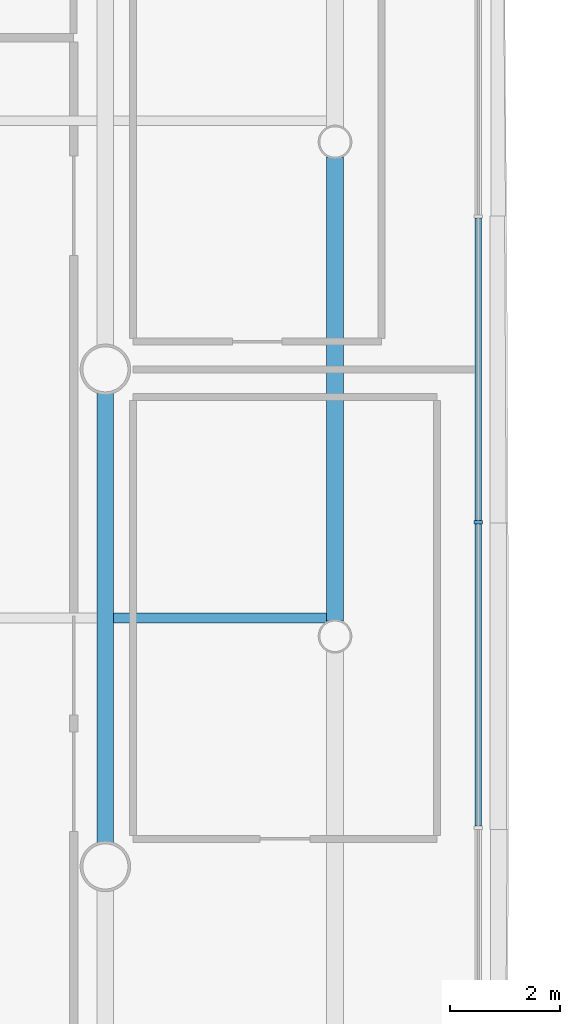
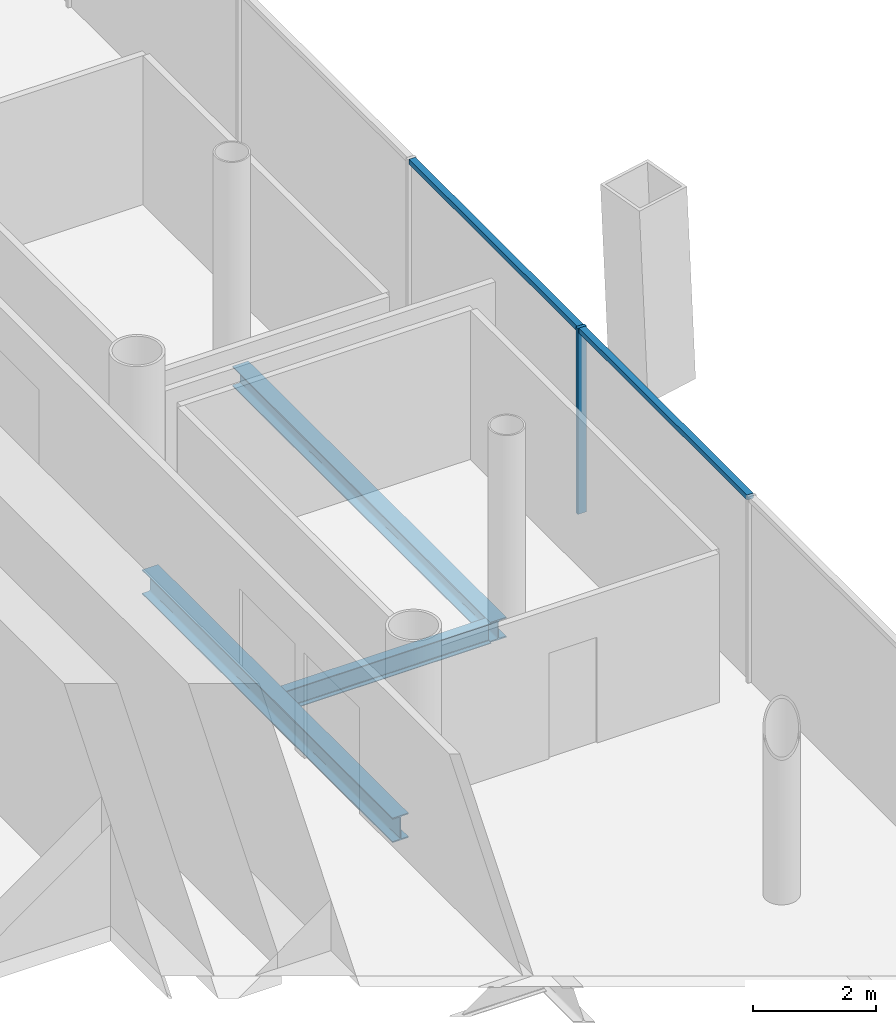
# One storey, part 7 of 23: 3 beams, 3 members, 1 element without a shape of its own.
"""IFC4 building model written with IfcOpenShell, lengths in metres."""

from ifc_helpers import new_model, si_unit, direction, frame, origin, origin_2d, place, context, subcontext, project, spatial, rectangle, i_section, extrude, material, material_profile, profile_set, type_object, element, aggregate, save


model = new_model("IFC4")

# Units and contexts
model_context = context("Model", 3, precision=1e-05, world=origin(), true_north=direction((0.0, 1.0)))
body_context = subcontext(model_context, "Body", "Model", "MODEL_VIEW")
ifc_project = project(units=[si_unit("LENGTHUNIT", "METRE"), si_unit("AREAUNIT", "SQUARE_METRE"), si_unit("VOLUMEUNIT", "CUBIC_METRE"), si_unit("PLANEANGLEUNIT", "RADIAN"), si_unit("MASSUNIT", "GRAM", prefix="KILO")], contexts=[model_context])

# Site, building, storey
site_placement = place(None, origin())
site = spatial("IfcSite", under=ifc_project, at=site_placement, CompositionType="ELEMENT")
building_placement = place(site_placement, origin())
building = spatial("IfcBuilding", under=site, at=building_placement, Name="Tskaro Facet Tower", CompositionType="ELEMENT")
storey_placement = place(building_placement, frame((0.0, 0.0, 14.699951171875)))
storey = spatial("IfcBuildingStorey", under=building, at=storey_placement, Name="L02", CompositionType="ELEMENT", Elevation=14.699951171875)

# Curtain wall, members
ifc_material_1 = material(Name="Bronze anodised aluminium 6063-T6", Category="aluminium")
curtain_wall_type = type_object("IfcCurtainWallType", Name="Bronze office curtain wall (FW1)", PredefinedType="NOTDEFINED", material=ifc_material_1)
curtain_wall_placement = place(storey_placement, origin())
curtain_wall = element("IfcCurtainWall", 1, at=curtain_wall_placement, inside=storey, type_object=curtain_wall_type, Name="FW1 east facet L02", PredefinedType="NOTDEFINED")
ifc_material_profile_1 = material_profile(ifc_material_1, rectangle(XDim=0.06005859375, YDim=0.159912109375, at=origin_2d()), Name="Mullion 60x160")
ifc_profile_set_1 = profile_set([ifc_material_profile_1], Name="Bronze anodised aluminium 6063-T6")
member_type_1 = type_object("IfcMemberType", Name="FW1 bronze mullion 60x160", PredefinedType="MULLION", material=ifc_profile_set_1)
member_1_placement = place(storey_placement, frame((24.75, -2.76611328125, 0.0), z_axis=(0.0, 0.0, 1.0), x_axis=(0.0, 1.0, 0.0)))
member_1 = element("IfcMember", 2, at=member_1_placement, type_object=member_type_1, Name="FW1 east mullion 4", PredefinedType="MULLION", context=body_context, shape_type="SweptSolid", body=[
    extrude(rectangle(XDim=0.06005859375, YDim=0.159912109375, at=origin_2d()), origin(), (0.0, 0.0, 1.0), 3.699951171875),
])
ifc_material_profile_2 = material_profile(ifc_material_1, rectangle(XDim=0.1201171875, YDim=0.10009765625, at=origin_2d()), Name="Transom 120x100")
ifc_profile_set_2 = profile_set([ifc_material_profile_2], Name="Bronze anodised aluminium 6063-T6")
member_type_2 = type_object("IfcMemberType", Name="FW1 bronze transom 120x100", PredefinedType="USERDEFINED", material=ifc_profile_set_2)
member_2_placement = place(storey_placement, frame((24.75, -8.2685546875, 3.650146484375), z_axis=(0.0, 1.0, 0.0), x_axis=(-1.0, 0.0, 0.0)))
member_2 = element("IfcMember", 3, at=member_2_placement, type_object=member_type_2, Name="FW1 east transom 4.1", ObjectType="TRANSOM", PredefinedType="USERDEFINED", context=body_context, shape_type="SweptSolid", body=[
    extrude(rectangle(XDim=0.1201171875, YDim=0.10009765625, at=origin_2d()), origin(), (0.0, 0.0, 1.0), 5.472412109375),
])
member_3_placement = place(storey_placement, frame((24.75, -2.736328125, 3.650146484375), z_axis=(0.0, 1.0, 0.0), x_axis=(-1.0, 0.0, 0.0)))
member_3 = element("IfcMember", 4, at=member_3_placement, type_object=member_type_2, Name="FW1 east transom 5.1", ObjectType="TRANSOM", PredefinedType="USERDEFINED", context=body_context, shape_type="SweptSolid", body=[
    extrude(rectangle(XDim=0.1201171875, YDim=0.10009765625, at=origin_2d()), origin(), (0.0, 0.0, 1.0), 5.47265625),
])
aggregate(curtain_wall, [member_1, member_2, member_3])

# Beams
ifc_material_2 = material(Name="Steel S355J2", Category="steel")
ifc_material_profile_3 = material_profile(ifc_material_2, i_section(OverallWidth=0.300048828125, OverallDepth=0.39990234375, WebThickness=0.013427734375, FlangeThickness=0.02392578125, FilletRadius=0.027099609375, at=origin_2d()), Name="HE 400 B")
ifc_profile_set_3 = profile_set([ifc_material_profile_3], Name="Steel S355J2")
beam_type_1 = type_object("IfcBeamType", Name="HE 400 B ring beam", PredefinedType="BEAM", material=ifc_profile_set_3)
beam_1_placement = place(storey_placement, frame((22.156982421875, -4.55810546875, -0.33984375), z_axis=(0.0, 1.0, 0.0), x_axis=(-1.0, 0.0, 0.0)))
element("IfcBeam", 5, at=beam_1_placement, inside=storey, type_object=beam_type_1, Name="HE 400 B EB10-1", PredefinedType="BEAM", context=body_context, shape_type="SweptSolid", body=[
    extrude(i_section(OverallWidth=0.300048828125, OverallDepth=0.39990234375, WebThickness=0.013427734375, FlangeThickness=0.02392578125, FilletRadius=0.027099609375, at=origin_2d()), origin(), (0.0, 0.0, 1.0), 8.399169921875),
])
ifc_material_profile_4 = material_profile(ifc_material_2, i_section(OverallWidth=0.300048828125, OverallDepth=0.489990234375, WebThickness=0.011962890625, FlangeThickness=0.02294921875, FilletRadius=0.027099609375, at=origin_2d()), Name="HE 500 A")
ifc_profile_set_4 = profile_set([ifc_material_profile_4], Name="Steel S355J2")
beam_type_2 = type_object("IfcBeamType", Name="HE 500 A girder", PredefinedType="BEAM", material=ifc_profile_set_4)
beam_2_placement = place(storey_placement, frame((18.0, -8.57275390625, -0.385009765625), z_axis=(0.0, 1.0, 0.0), x_axis=(-1.0, 0.0, 0.0)))
element("IfcBeam", 6, at=beam_2_placement, inside=storey, type_object=beam_type_2, Name="HE 500 A GB6-3-1", PredefinedType="BEAM", context=body_context, shape_type="SweptSolid", body=[
    extrude(i_section(OverallWidth=0.300048828125, OverallDepth=0.489990234375, WebThickness=0.011962890625, FlangeThickness=0.02294921875, FilletRadius=0.027099609375, at=origin_2d()), origin(), (0.0, 0.0, 1.0), 8.1455078125),
])
ifc_material_profile_5 = material_profile(ifc_material_2, i_section(OverallWidth=0.179931640625, OverallDepth=0.39990234375, WebThickness=0.008544921875, FlangeThickness=0.013427734375, FilletRadius=0.02099609375, at=origin_2d()), Name="IPE 400")
ifc_profile_set_5 = profile_set([ifc_material_profile_5], Name="Steel S355J2")
beam_type_3 = type_object("IfcBeamType", Name="IPE 400 secondary beam", PredefinedType="BEAM", material=ifc_profile_set_5)
beam_3_placement = place(storey_placement, frame((18.14990234375, -4.5, -0.33984375), z_axis=(1.0, 0.0, 0.0), x_axis=(0.0, 1.0, 0.0)))
element("IfcBeam", 7, at=beam_3_placement, inside=storey, type_object=beam_type_3, Name="IPE 400 SB3a-4-1", PredefinedType="BEAM", context=body_context, shape_type="SweptSolid", body=[
    extrude(i_section(OverallWidth=0.179931640625, OverallDepth=0.39990234375, WebThickness=0.008544921875, FlangeThickness=0.013427734375, FilletRadius=0.02099609375, at=origin_2d()), origin(), (0.0, 0.0, 1.0), 3.857177734375),
])

save(model, "model.ifc")
